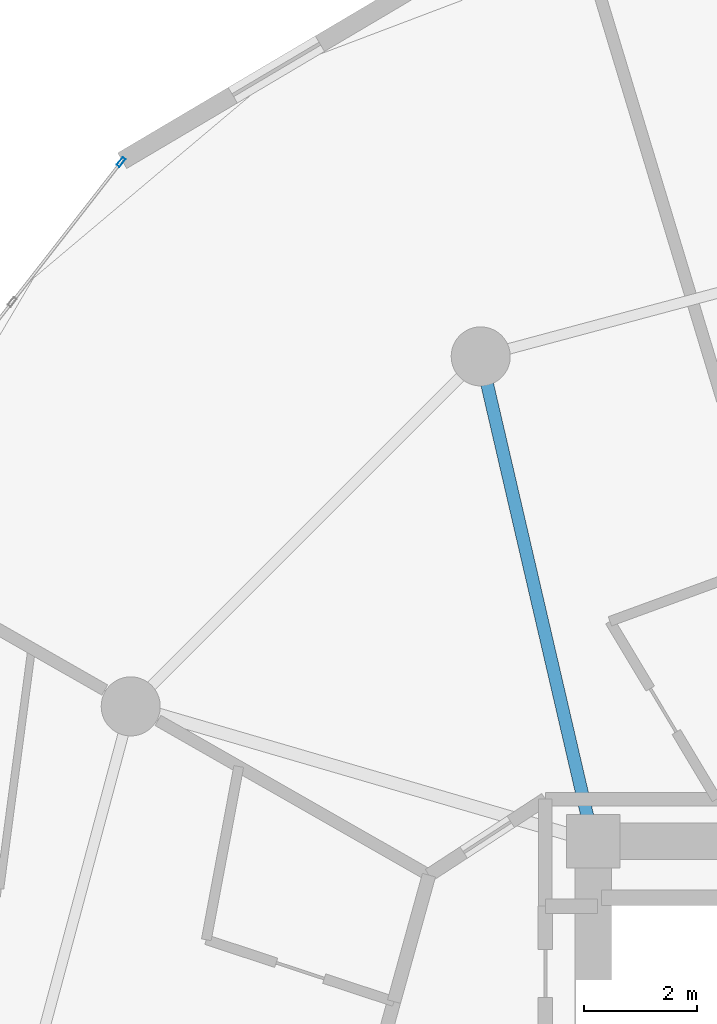
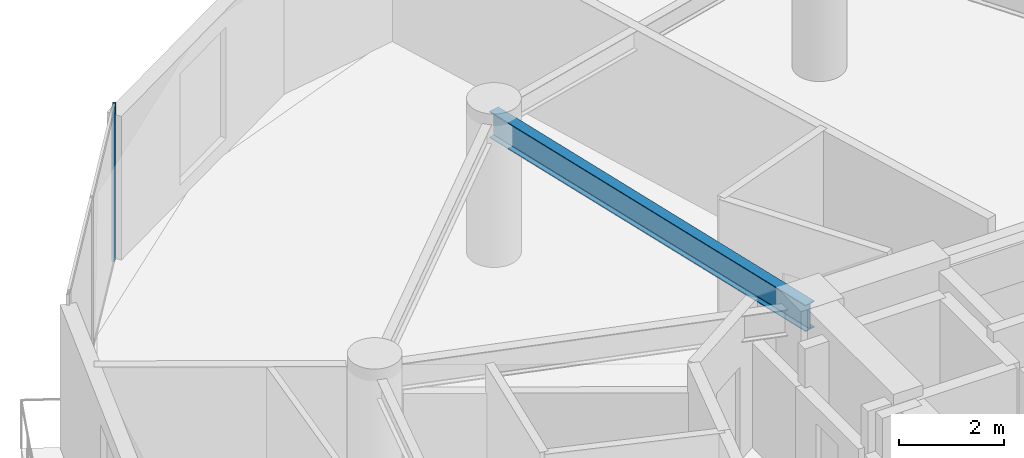
# One storey, part 11 of 20: 1 beam, 1 member, 1 element without a shape of its own.
"""IFC4 building model written with IfcOpenShell, lengths in metres."""

from ifc_helpers import new_model, si_unit, direction, frame, origin, origin_2d, place, context, subcontext, project, spatial, hollow_rectangle, i_section, extrude, source, transform, mapped, material, layer, layer_set, material_profile, profile_set, type_object, element, aggregate, save


model = new_model("IFC4")

# Units and contexts
model_context = context("Model", 3, precision=1e-05, world=origin(), true_north=direction((0.0, 1.0)))
body_context = subcontext(model_context, "Body", "Model", "MODEL_VIEW")
ifc_project = project(units=[si_unit("LENGTHUNIT", "METRE"), si_unit("AREAUNIT", "SQUARE_METRE"), si_unit("VOLUMEUNIT", "CUBIC_METRE"), si_unit("PLANEANGLEUNIT", "RADIAN"), si_unit("MASSUNIT", "GRAM", prefix="KILO")], contexts=[model_context])

# Site, building, storey
site_placement = place(None, origin())
site = spatial("IfcSite", under=ifc_project, at=site_placement, CompositionType="ELEMENT")
building_placement = place(site_placement, origin())
building = spatial("IfcBuilding", under=site, at=building_placement, Name="Solvirekh Grand Hotel", CompositionType="ELEMENT")
storey_placement = place(building_placement, frame((0.0, 0.0, 156.60009765625)))
storey = spatial("IfcBuildingStorey", under=building, at=storey_placement, Name="L40", CompositionType="ELEMENT", Elevation=156.60009765625)

# Beam
ifc_material_1 = material(Name="Steel S355", Category="steel")
ifc_material_profile_1 = material_profile(ifc_material_1, i_section(OverallWidth=0.22802734375, OverallDepth=0.616943359375, WebThickness=0.012939453125, FlangeThickness=0.02001953125, FilletRadius=0.014892578125, at=origin_2d()), Name="W610X140")
ifc_profile_set_1 = profile_set([ifc_material_profile_1], Name="Steel S355")
beam_type = type_object("IfcBeamType", Name="Beam_Radial_W610", PredefinedType="BEAM", material=ifc_profile_set_1)
beam_placement = place(storey_placement, frame((-6.5, 6.10009765625, 3.041015625), z_axis=(-0.225969390542, 0.974134402707, 0.0), x_axis=(-0.974134402707, -0.225969390542, 0.0)))
element("IfcBeam", 1, at=beam_placement, inside=storey, type_object=beam_type, Name="L40 radial floor beam R05", PredefinedType="BEAM", context=body_context, shape_type="SweptSolid", body=[
    extrude(i_section(OverallWidth=0.22802734375, OverallDepth=0.616943359375, WebThickness=0.012939453125, FlangeThickness=0.02001953125, FilletRadius=0.014892578125, at=origin_2d()), origin(), (0.0, 0.0, 1.0), 8.850830078125),
])

# Curtain wall, member
ifc_material_2 = material(Name="Anodized Bronze Aluminium 6063-T6", Category="aluminium")
ifc_layer = layer(ifc_material_2, 0.175048828125)
ifc_layer_set = layer_set([ifc_layer], Name="Anodized Bronze Aluminium 6063-T6")
curtain_wall_type = type_object("IfcCurtainWallType", Name="CW_Sys3_MidZoneFlushBronzeCW", PredefinedType="NOTDEFINED", material=ifc_layer_set)
curtain_wall_placement = place(storey_placement, origin())
curtain_wall = element("IfcCurtainWall", 2, at=curtain_wall_placement, inside=storey, type_object=curtain_wall_type, Name="L40 unitised bronze-glass curtain wall CW-L40-C11", PredefinedType="NOTDEFINED")
ifc_material_profile_2 = material_profile(ifc_material_2, hollow_rectangle(XDim=0.06494140625, YDim=0.175048828125, WallThickness=0.0048828125, at=origin_2d()), Name="ALU RHS 175X65X5")
ifc_profile_set_2 = profile_set([ifc_material_profile_2], Name="Anodized Bronze Aluminium 6063-T6")
member_type = type_object("IfcMemberType", Name="CWMullion_Sys3", PredefinedType="MULLION", material=ifc_profile_set_2)
shared_shape = source(origin(), body_context, "Body", "SweptSolid", [
    extrude(hollow_rectangle(XDim=0.06494140625, YDim=0.175048828125, WallThickness=0.0048828125, at=origin_2d()), origin(), (0.0, 0.0, 1.0), 3.599853515625),
])
member_placement = place(storey_placement, frame((-14.89404296875, 18.17529296875, 0.0), z_axis=(0.0, 0.0, 1.0), x_axis=(0.788996991404, -0.614397060177, 0.0)))
member = element("IfcMember", 3, at=member_placement, type_object=member_type, Name="U03 mullion 1", PredefinedType="MULLION", context=body_context, shape_type="MappedRepresentation", body=[
    mapped(shared_shape, transform((0.0, 0.0, 0.0), x_axis=(1.0, 0.0, 0.0), y_axis=(0.0, 1.0, 0.0), z_axis=(0.0, 0.0, 1.0), scale=1.0)),
])
aggregate(curtain_wall, [member])

save(model, "model.ifc")
